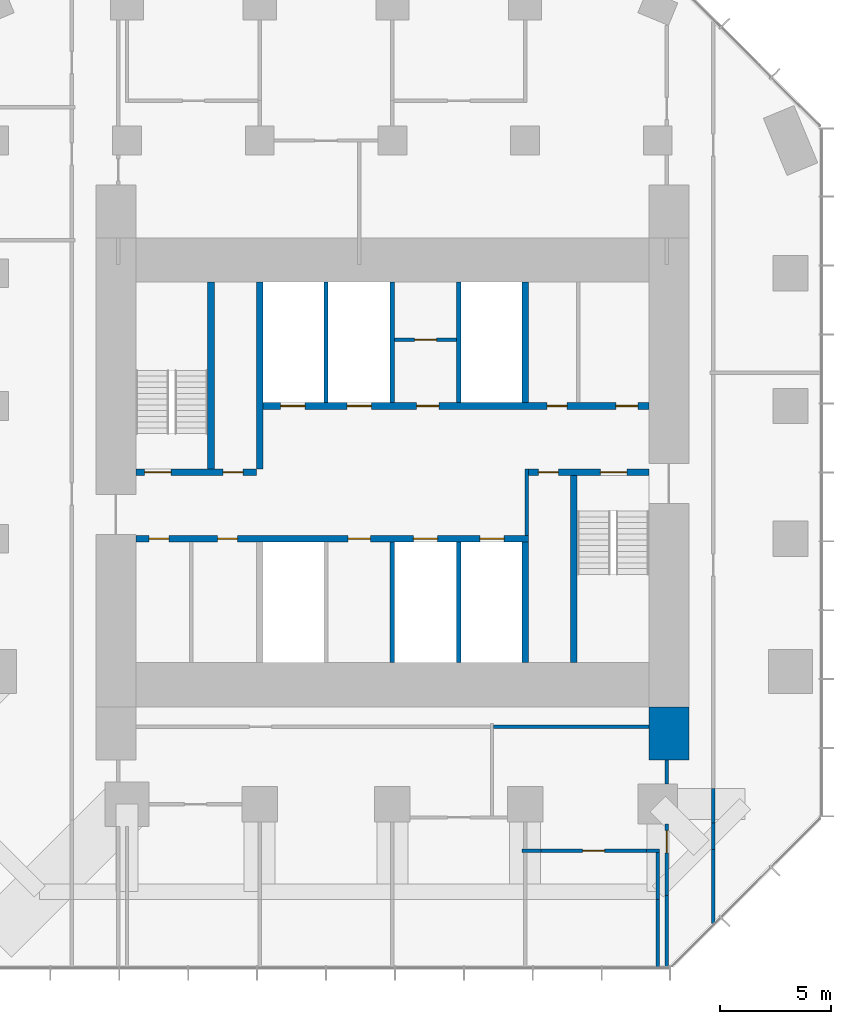
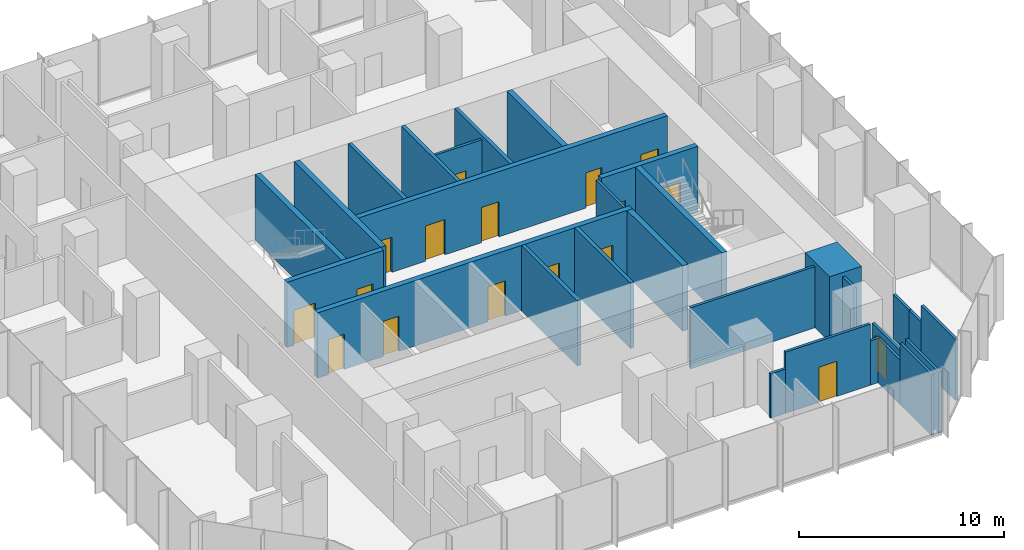
# One storey, part 9 of 12: 29 walls, 17 doors, 17 openings.
"""IFC4 building model written with IfcOpenShell, lengths in metres."""

import ifcopenshell
import ifcopenshell.guid

model = None  # the IFC model being written
_history = None  # IfcOwnerHistory: only IFC2X3 demands one
_inside = {}  # id of a spatial element -> (the spatial element, [elements in it])
_under = {}  # id of a project, library or spatial element -> (it, [spatial elements below it])
_declared = {}  # id of a project -> (the project, [libraries it declares])
_typed = {}  # id of a type object -> (the type object, [elements of that type])
_made_of = {}  # id of a material, layer set ... -> (it, [elements and type objects made of it])


def new_model(schema):
    """Start an empty IFC model of exactly this schema.

    Asked for "IFC4X3", IfcOpenShell would pick the latest addendum, in which some entities
    have other attributes; the version numbers below select the first issue.
    IFC2X3 requires an IfcOwnerHistory on every rooted entity: one is made here for all.
    """
    global model, _history
    if schema == "IFC4X3":
        model = ifcopenshell.file(schema_version=(4, 3, 0, 0))
    else:
        model = ifcopenshell.file(schema=schema)
    _inside.clear()
    _under.clear()
    _declared.clear()
    _typed.clear()
    _made_of.clear()
    _history = None
    if model.schema == "IFC2X3":
        org = make("IfcOrganization", Name="unknown")
        user = make(
            "IfcPersonAndOrganization",
            ThePerson=make("IfcPerson", FamilyName="unknown"),
            TheOrganization=org,
        )
        app = make(
            "IfcApplication",
            ApplicationDeveloper=org,
            Version="unknown",
            ApplicationFullName="unknown",
            ApplicationIdentifier="unknown",
        )
        _history = make(
            "IfcOwnerHistory",
            OwningUser=user,
            OwningApplication=app,
            ChangeAction="ADDED",
            CreationDate=0,
        )
    return model


def make(cls, **values):
    """One entity of the class cls with the attributes given. An attribute that is None is left unset."""
    return model.create_entity(
        cls, **{name: value for name, value in values.items() if value is not None}
    )


def rooted(cls, **values):
    """An entity with a GlobalId (a new one), such as an element, a storey or a relation."""
    return make(cls, GlobalId=ifcopenshell.guid.new(), OwnerHistory=_history, **values)


def si_unit(unit_type, name, prefix=None):
    """IfcSIUnit, for example si_unit("LENGTHUNIT", "METRE", prefix="MILLI")."""
    return make("IfcSIUnit", UnitType=unit_type, Prefix=prefix, Name=name)


def assignment(units):
    """IfcUnitAssignment: the units of a project."""
    return None if units is None else make("IfcUnitAssignment", Units=units)


def point(xyz):
    """IfcCartesianPoint."""
    return None if xyz is None else make("IfcCartesianPoint", Coordinates=xyz)


def direction(xyz):
    """IfcDirection."""
    return None if xyz is None else make("IfcDirection", DirectionRatios=xyz)


def frame(location, z_axis=None, x_axis=None):
    """IfcAxis2Placement3D, a coordinate frame: its origin and axes. An axis left out is left unset."""
    return make(
        "IfcAxis2Placement3D",
        Location=point(location),
        Axis=direction(z_axis),
        RefDirection=direction(x_axis),
    )


def frame_2d(location, x_axis=None):
    """IfcAxis2Placement2D, a coordinate frame in the plane: its origin and x axis."""
    return make(
        "IfcAxis2Placement2D", Location=point(location), RefDirection=direction(x_axis)
    )


def origin():
    """The frame at (0, 0, 0) with its axes left unset."""
    return frame((0.0, 0.0, 0.0))


def place(relative_to, where):
    """IfcLocalPlacement: puts the frame where relative to a parent placement (None: the world)."""
    return make(
        "IfcLocalPlacement", PlacementRelTo=relative_to, RelativePlacement=where
    )


def context(
    kind, dimensions, precision=None, world=None, true_north=None, identifier=None
):
    """IfcGeometricRepresentationContext, for example the 3D "Model" context."""
    return make(
        "IfcGeometricRepresentationContext",
        ContextIdentifier=identifier,
        ContextType=kind,
        CoordinateSpaceDimension=dimensions,
        Precision=precision,
        WorldCoordinateSystem=world,
        TrueNorth=true_north,
    )


def subcontext(parent, identifier, kind, view, scale=None):
    """IfcGeometricRepresentationSubContext, for example "Body" below "Model"."""
    return make(
        "IfcGeometricRepresentationSubContext",
        ContextIdentifier=identifier,
        ContextType=kind,
        ParentContext=parent,
        TargetScale=scale,
        TargetView=view,
    )


def project(units=None, contexts=None):
    """IfcProject with its units and contexts."""
    return rooted(
        "IfcProject",
        Name="project",
        RepresentationContexts=contexts,
        UnitsInContext=assignment(units),
    )


def spatial(cls, under=None, at=None, **own):
    """A site, building, storey or space (cls), placed at a placement, below another one or the project."""
    s = rooted(cls, ObjectPlacement=at, **own)
    if under is not None:
        _under.setdefault(under.id(), (under, []))[1].append(s)
    return s


def profile(cls, at=None, kind="AREA", **sizes):
    """A parametric profile (cls). Its sizes go by their IFC names, for example OverallWidth=200.0."""
    return make(cls, ProfileType=kind, Position=at, **sizes)


def rectangle(**sizes):
    """IfcRectangleProfileDef."""
    return profile("IfcRectangleProfileDef", **sizes)


def extrude(swept, where, along, depth):
    """IfcExtrudedAreaSolid: the profile swept, set in the frame where, extruded along a direction by depth."""
    return make(
        "IfcExtrudedAreaSolid",
        SweptArea=swept,
        Position=where,
        ExtrudedDirection=direction(along),
        Depth=depth,
    )


def shape(context_of_items, identifier, shape_type, items):
    """IfcShapeRepresentation: the items that make up one representation, for example the "Body"."""
    return make(
        "IfcShapeRepresentation",
        ContextOfItems=context_of_items,
        RepresentationIdentifier=identifier,
        RepresentationType=shape_type,
        Items=items,
    )


def material(Name=None, Category=None):
    """IfcMaterial."""
    return make("IfcMaterial", Name=Name, Category=Category)


def layer(
    of_material, thickness, ventilated=None, Name=None, Category=None, Priority=None
):
    """IfcMaterialLayer: one layer of a wall or slab, of a material (None: an air gap)."""
    return make(
        "IfcMaterialLayer",
        Material=of_material,
        LayerThickness=thickness,
        IsVentilated=ventilated,
        Name=Name,
        Category=Category,
        Priority=Priority,
    )


def layer_set(layers, Name=None):
    """IfcMaterialLayerSet."""
    return make("IfcMaterialLayerSet", MaterialLayers=layers, LayerSetName=Name)


def made_of(thing, what):
    """Note that an element or type object is made of a material, layer set ...; save() writes the relation."""
    if what is not None:
        _made_of.setdefault(what.id(), (what, []))[1].append(thing)
    return thing


def type_object(cls, material=None, **own):
    """A type object (cls), such as IfcWallType, which elements share."""
    return made_of(rooted(cls, **own), material)


def element(
    cls,
    number,
    at=None,
    inside=None,
    cuts=None,
    type_object=None,
    material=None,
    context=None,
    identifier="Body",
    shape_type=None,
    held_by="IfcProductDefinitionShape",
    body=None,
    shapes=None,
    **own,
):
    """One element of the class cls, such as IfcWall. Its Tag is "e" and its number.

    at: its placement. inside: the storey or other place that contains it. cuts: it is an
    opening in that element (IfcRelVoidsElement). A single representation is given by context,
    identifier, shape_type and body (its items); several are given by shapes. held_by: the class
    of the entity that holds the representations. save() writes the other relations.
    """
    e = rooted(cls, Tag="e%d" % number, ObjectPlacement=at, **own)
    if body is not None:
        shapes = [shape(context, identifier, shape_type, body)]
    if shapes is not None:
        e.Representation = make(held_by, Representations=shapes)
    if inside is not None:
        _inside.setdefault(inside.id(), (inside, []))[1].append(e)
    if cuts is not None:
        rooted(
            "IfcRelVoidsElement", RelatingBuildingElement=cuts, RelatedOpeningElement=e
        )
    if type_object is not None:
        _typed.setdefault(type_object.id(), (type_object, []))[1].append(e)
    return made_of(e, material)


def fill(opening, filler):
    """IfcRelFillsElement: the door or window that sits in an opening."""
    return rooted(
        "IfcRelFillsElement",
        RelatingOpeningElement=opening,
        RelatedBuildingElement=filler,
    )


def aggregate(whole, parts):
    """IfcRelAggregates: a whole, such as a stair, and the parts it consists of."""
    return rooted("IfcRelAggregates", RelatingObject=whole, RelatedObjects=parts)


def save(model, path):
    """Write the relations noted so far, then the file.

    IfcRelAggregates (storeys below a building ...), IfcRelContainedInSpatialStructure (elements
    in a storey), IfcRelDefinesByType, IfcRelAssociatesMaterial and IfcRelDeclares: one each for
    every whole, place, type object, material and project.
    """
    for whole, parts in _under.values():
        aggregate(whole, parts)
    for where, things in _inside.values():
        rooted(
            "IfcRelContainedInSpatialStructure",
            RelatedElements=things,
            RelatingStructure=where,
        )
    for kind, things in _typed.values():
        rooted("IfcRelDefinesByType", RelatedObjects=things, RelatingType=kind)
    for what, things in _made_of.values():
        rooted("IfcRelAssociatesMaterial", RelatedObjects=things, RelatingMaterial=what)
    for by, libraries in _declared.values():
        rooted("IfcRelDeclares", RelatingContext=by, RelatedDefinitions=libraries)
    model.write(path)


model = new_model("IFC4")

# Units and contexts
model_context = context("Model", 3, precision=1e-05, world=origin(), true_north=direction((0.0, 1.0)))
body_context = subcontext(model_context, "Body", "Model", "MODEL_VIEW")
ifc_project = project(units=[si_unit("LENGTHUNIT", "METRE"), si_unit("AREAUNIT", "SQUARE_METRE"), si_unit("VOLUMEUNIT", "CUBIC_METRE"), si_unit("PLANEANGLEUNIT", "RADIAN"), si_unit("MASSUNIT", "GRAM", prefix="KILO")], contexts=[model_context])

# Site, building, storey
site_placement = place(None, origin())
site = spatial("IfcSite", under=ifc_project, at=site_placement, CompositionType="ELEMENT")
building_placement = place(site_placement, origin())
building = spatial("IfcBuilding", under=site, at=building_placement, Name="Highveld Stack Headquarters", CompositionType="ELEMENT")
storey_placement = place(building_placement, frame((0.0, 0.0, 231.800048828125)))
storey = spatial("IfcBuildingStorey", under=building, at=storey_placement, Name="L57", CompositionType="ELEMENT", Elevation=231.800048828125)

# Wall, openings, doors
ifc_material_1 = material(Name="Concrete C60/75", Category="concrete")
ifc_layer_1 = layer(ifc_material_1, 0.300048828125)
ifc_layer_set_1 = layer_set([ifc_layer_1], Name="Concrete C60/75")
wall_type_1 = type_object("IfcWallType", Name="CORE WALL 300 C60/75", PredefinedType="SHEAR", material=ifc_layer_set_1)
wall_1_placement = place(storey_placement, frame((-5.60009765625, 0.0, 0.0), z_axis=(0.0, 0.0, 1.0), x_axis=(1.0, 0.0, 0.0)))
wall_1 = element("IfcWall", 1, at=wall_1_placement, inside=storey, type_object=wall_type_1, Name="Core wall I-Y0 L57", PredefinedType="SHEAR", context=body_context, shape_type="SweptSolid", body=[
    extrude(rectangle(XDim=17.75, YDim=0.300048828125, at=frame_2d((8.875, 0.0))), origin(), (0.0, 0.0, 1.0), 3.89990234375),
])
opening_1_placement = place(wall_1_placement, frame((0.60009765625, 0.0, 0.0)))
opening_1 = element("IfcOpeningElement", 2, at=opening_1_placement, cuts=wall_1, Name="Opening L57-07", PredefinedType="OPENING", context=body_context, shape_type="SweptSolid", body=[
    extrude(rectangle(XDim=0.89990234375, YDim=2.10009765625, at=frame_2d((0.449951171875, 1.050048828125))), frame((0.0, 0.159912109375, 0.0), z_axis=(0.0, -1.0, 0.0), x_axis=(1.0, 0.0, 0.0)), (0.0, 0.0, 1.0), 0.320068359375),
])
opening_2_placement = place(wall_1_placement, frame((3.699951171875, 0.0, 0.0)))
opening_2 = element("IfcOpeningElement", 3, at=opening_2_placement, cuts=wall_1, Name="Opening L57-08", PredefinedType="OPENING", context=body_context, shape_type="SweptSolid", body=[
    extrude(rectangle(XDim=0.89990234375, YDim=2.10009765625, at=frame_2d((0.449951171875, 1.050048828125))), frame((0.0, 0.159912109375, 0.0), z_axis=(0.0, -1.0, 0.0), x_axis=(1.0, 0.0, 0.0)), (0.0, 0.0, 1.0), 0.320068359375),
])
opening_3_placement = place(wall_1_placement, frame((9.60009765625, 0.0, 0.0)))
opening_3 = element("IfcOpeningElement", 4, at=opening_3_placement, cuts=wall_1, Name="Opening L57-13", PredefinedType="OPENING", context=body_context, shape_type="SweptSolid", body=[
    extrude(rectangle(XDim=1.0, YDim=2.10009765625, at=frame_2d((0.5, 1.050048828125))), frame((0.0, 0.159912109375, 0.0), z_axis=(0.0, -1.0, 0.0), x_axis=(1.0, 0.0, 0.0)), (0.0, 0.0, 1.0), 0.320068359375),
])
opening_4_placement = place(wall_1_placement, frame((12.550048828125, 0.0, 0.0)))
opening_4 = element("IfcOpeningElement", 5, at=opening_4_placement, cuts=wall_1, Name="Opening LD", PredefinedType="OPENING", context=body_context, shape_type="SweptSolid", body=[
    extrude(rectangle(XDim=1.10009765625, YDim=2.10009765625, at=frame_2d((0.550048828125, 1.050048828125))), frame((0.0, 0.159912109375, 0.0), z_axis=(0.0, -1.0, 0.0), x_axis=(1.0, 0.0, 0.0)), (0.0, 0.0, 1.0), 0.320068359375),
])
opening_5_placement = place(wall_1_placement, frame((15.550048828125, 0.0, 0.0)))
opening_5 = element("IfcOpeningElement", 6, at=opening_5_placement, cuts=wall_1, Name="Opening LD", PredefinedType="OPENING", context=body_context, shape_type="SweptSolid", body=[
    extrude(rectangle(XDim=1.10009765625, YDim=2.10009765625, at=frame_2d((0.550048828125, 1.050048828125))), frame((0.0, 0.159912109375, 0.0), z_axis=(0.0, -1.0, 0.0), x_axis=(1.0, 0.0, 0.0)), (0.0, 0.0, 1.0), 0.320068359375),
])
ifc_material_2 = material(Name="Steel fire door", Category="steel")
door_type_1 = type_object("IfcDoorType", Name="CORE ROOM FIRE DOOR D14 1000x2100", OperationType="SINGLE_SWING_LEFT", PredefinedType="DOOR", material=ifc_material_2)
door_1_placement = place(opening_3_placement, origin())
door_1 = element("IfcDoor", 7, at=door_1_placement, inside=storey, type_object=door_type_1, Name="Capped B 1 door L57", OperationType="SINGLE_SWING_RIGHT", OverallHeight=2.10009765625, OverallWidth=1.0, PredefinedType="DOOR", context=body_context, shape_type="SweptSolid", body=[
    extrude(rectangle(XDim=1.0, YDim=2.10009765625, at=frame_2d((0.5, 1.050048828125))), frame((0.0, 0.02490234375, 0.0), z_axis=(0.0, -1.0, 0.0), x_axis=(1.0, 0.0, 0.0)), (0.0, 0.0, 1.0), 0.050048828125),
])
fill(opening_3, door_1)
ifc_material_3 = material(Name="Stainless steel lift landing door", Category="steel")
door_type_2 = type_object("IfcDoorType", Name="LIFT LANDING DOOR LD 1100x2100", OperationType="DOUBLE_DOOR_SLIDING", PredefinedType="USERDEFINED", material=ifc_material_3)
door_2_placement = place(opening_4_placement, origin())
door_2 = element("IfcDoor", 8, at=door_2_placement, inside=storey, type_object=door_type_2, Name="Lift landing door C1 L57", ObjectType="LIFT LANDING DOOR", OperationType="DOUBLE_DOOR_SLIDING", OverallHeight=2.10009765625, OverallWidth=1.10009765625, PredefinedType="USERDEFINED", context=body_context, shape_type="SweptSolid", body=[
    extrude(rectangle(XDim=1.10009765625, YDim=2.10009765625, at=frame_2d((0.550048828125, 1.050048828125))), frame((0.0, 0.02490234375, 0.0), z_axis=(0.0, -1.0, 0.0), x_axis=(1.0, 0.0, 0.0)), (0.0, 0.0, 1.0), 0.050048828125),
])
fill(opening_4, door_2)
door_3_placement = place(opening_5_placement, origin())
door_3 = element("IfcDoor", 9, at=door_3_placement, inside=storey, type_object=door_type_2, Name="Lift landing door C2 L57", ObjectType="LIFT LANDING DOOR", OperationType="DOUBLE_DOOR_SLIDING", OverallHeight=2.10009765625, OverallWidth=1.10009765625, PredefinedType="USERDEFINED", context=body_context, shape_type="SweptSolid", body=[
    extrude(rectangle(XDim=1.10009765625, YDim=2.10009765625, at=frame_2d((0.550048828125, 1.050048828125))), frame((0.0, 0.02490234375, 0.0), z_axis=(0.0, -1.0, 0.0), x_axis=(1.0, 0.0, 0.0)), (0.0, 0.0, 1.0), 0.050048828125),
])
fill(opening_5, door_3)
ifc_material_4 = material(Name="Timber door, painted", Category="wood")
door_type_3 = type_object("IfcDoorType", Name="WC DOOR D1 900x2100", OperationType="SINGLE_SWING_LEFT", PredefinedType="DOOR", material=ifc_material_4)
door_4_placement = place(opening_1_placement, origin())
door_4 = element("IfcDoor", 10, at=door_4_placement, inside=storey, type_object=door_type_3, Name="Female WC door L57", OperationType="SINGLE_SWING_LEFT", OverallHeight=2.10009765625, OverallWidth=0.89990234375, PredefinedType="DOOR", context=body_context, shape_type="SweptSolid", body=[
    extrude(rectangle(XDim=0.89990234375, YDim=2.10009765625, at=frame_2d((0.449951171875, 1.050048828125))), frame((0.0, 0.02490234375, 0.0), z_axis=(0.0, -1.0, 0.0), x_axis=(1.0, 0.0, 0.0)), (0.0, 0.0, 1.0), 0.050048828125),
])
fill(opening_1, door_4)
door_5_placement = place(opening_2_placement, origin())
door_5 = element("IfcDoor", 11, at=door_5_placement, inside=storey, type_object=door_type_3, Name="Shower and changing room door L57", OperationType="SINGLE_SWING_LEFT", OverallHeight=2.10009765625, OverallWidth=0.89990234375, PredefinedType="DOOR", context=body_context, shape_type="SweptSolid", body=[
    extrude(rectangle(XDim=0.89990234375, YDim=2.10009765625, at=frame_2d((0.449951171875, 1.050048828125))), frame((0.0, 0.02490234375, 0.0), z_axis=(0.0, -1.0, 0.0), x_axis=(1.0, 0.0, 0.0)), (0.0, 0.0, 1.0), 0.050048828125),
])
fill(opening_2, door_5)

wall_2_placement = place(storey_placement, frame((-5.60009765625, 3.0, 0.0), z_axis=(0.0, 0.0, 1.0), x_axis=(1.0, 0.0, 0.0)))
wall_2 = element("IfcWall", 12, at=wall_2_placement, inside=storey, type_object=wall_type_1, Name="Core wall I-Y3W L57", PredefinedType="SHEAR", context=body_context, shape_type="SweptSolid", body=[
    extrude(rectangle(XDim=5.4501953125, YDim=0.300048828125, at=frame_2d((2.72509765625, 0.0))), origin(), (0.0, 0.0, 1.0), 3.89990234375),
])
opening_6_placement = place(wall_2_placement, frame((0.39990234375, 0.0, 0.0)))
opening_6 = element("IfcOpeningElement", 13, at=opening_6_placement, cuts=wall_2, Name="Opening L57-03", PredefinedType="OPENING", context=body_context, shape_type="SweptSolid", body=[
    extrude(rectangle(XDim=1.199951171875, YDim=2.10009765625, at=frame_2d((0.60009765625, 1.050048828125))), frame((0.0, 0.159912109375, 0.0), z_axis=(0.0, -1.0, 0.0), x_axis=(1.0, 0.0, 0.0)), (0.0, 0.0, 1.0), 0.320068359375),
])
opening_7_placement = place(wall_2_placement, frame((3.949951171875, 0.0, 0.0)))
opening_7 = element("IfcOpeningElement", 14, at=opening_7_placement, cuts=wall_2, Name="Opening L57-04", PredefinedType="OPENING", context=body_context, shape_type="SweptSolid", body=[
    extrude(rectangle(XDim=0.89990234375, YDim=2.10009765625, at=frame_2d((0.449951171875, 1.050048828125))), frame((0.0, 0.159912109375, 0.0), z_axis=(0.0, -1.0, 0.0), x_axis=(1.0, 0.0, 0.0)), (0.0, 0.0, 1.0), 0.320068359375),
])
ifc_material_5 = material(Name="Steel fire door", Category="steel")
door_type_4 = type_object("IfcDoorType", Name="RISER ACCESS DOOR D5 900x2100", OperationType="SINGLE_SWING_LEFT", PredefinedType="DOOR", material=ifc_material_5)
door_6_placement = place(opening_7_placement, origin())
door_6 = element("IfcDoor", 15, at=door_6_placement, inside=storey, type_object=door_type_4, Name="Riser R1 door L57", OperationType="SINGLE_SWING_RIGHT", OverallHeight=2.10009765625, OverallWidth=0.89990234375, PredefinedType="DOOR", context=body_context, shape_type="SweptSolid", body=[
    extrude(rectangle(XDim=0.89990234375, YDim=2.10009765625, at=frame_2d((0.449951171875, 1.050048828125))), frame((0.0, 0.02490234375, 0.0), z_axis=(0.0, -1.0, 0.0), x_axis=(1.0, 0.0, 0.0)), (0.0, 0.0, 1.0), 0.050048828125),
])
fill(opening_7, door_6)
ifc_material_6 = material(Name="Steel fire door", Category="steel")
door_type_5 = type_object("IfcDoorType", Name="STAIR FIRE DOOR D3 1200x2100", OperationType="SINGLE_SWING_LEFT", PredefinedType="DOOR", material=ifc_material_6)
door_7_placement = place(opening_6_placement, origin())
door_7 = element("IfcDoor", 16, at=door_7_placement, inside=storey, type_object=door_type_5, Name="Stair S1 door L57", OperationType="SINGLE_SWING_LEFT", OverallHeight=2.10009765625, OverallWidth=1.199951171875, PredefinedType="DOOR", context=body_context, shape_type="SweptSolid", body=[
    extrude(rectangle(XDim=1.199951171875, YDim=2.10009765625, at=frame_2d((0.60009765625, 1.050048828125))), frame((0.0, 0.02490234375, 0.0), z_axis=(0.0, -1.0, 0.0), x_axis=(1.0, 0.0, 0.0)), (0.0, 0.0, 1.0), 0.050048828125),
])
fill(opening_6, door_7)

wall_3_placement = place(storey_placement, frame((12.14990234375, 3.0, 0.0), z_axis=(0.0, 0.0, 1.0), x_axis=(1.0, 0.0, 0.0)))
wall_3 = element("IfcWall", 17, at=wall_3_placement, inside=storey, type_object=wall_type_1, Name="Core wall I-Y3E L57", PredefinedType="SHEAR", context=body_context, shape_type="SweptSolid", body=[
    extrude(rectangle(XDim=5.4501953125, YDim=0.300048828125, at=frame_2d((2.72509765625, 0.0))), origin(), (0.0, 0.0, 1.0), 3.89990234375),
])
opening_8_placement = place(wall_3_placement, frame((3.25, 0.0, 0.0)))
opening_8 = element("IfcOpeningElement", 18, at=opening_8_placement, cuts=wall_3, Name="Opening L57-05", PredefinedType="OPENING", context=body_context, shape_type="SweptSolid", body=[
    extrude(rectangle(XDim=1.199951171875, YDim=2.10009765625, at=frame_2d((0.60009765625, 1.050048828125))), frame((0.0, 0.159912109375, 0.0), z_axis=(0.0, -1.0, 0.0), x_axis=(1.0, 0.0, 0.0)), (0.0, 0.0, 1.0), 0.320068359375),
])
opening_9_placement = place(wall_3_placement, frame((0.449951171875, 0.0, 0.0)))
opening_9 = element("IfcOpeningElement", 19, at=opening_9_placement, cuts=wall_3, Name="Opening L57-06", PredefinedType="OPENING", context=body_context, shape_type="SweptSolid", body=[
    extrude(rectangle(XDim=0.89990234375, YDim=2.10009765625, at=frame_2d((0.449951171875, 1.050048828125))), frame((0.0, 0.159912109375, 0.0), z_axis=(0.0, -1.0, 0.0), x_axis=(1.0, 0.0, 0.0)), (0.0, 0.0, 1.0), 0.320068359375),
])
door_8_placement = place(opening_9_placement, origin())
door_8 = element("IfcDoor", 20, at=door_8_placement, inside=storey, type_object=door_type_4, Name="Riser R2 door L57", OperationType="SINGLE_SWING_LEFT", OverallHeight=2.10009765625, OverallWidth=0.89990234375, PredefinedType="DOOR", context=body_context, shape_type="SweptSolid", body=[
    extrude(rectangle(XDim=0.89990234375, YDim=2.10009765625, at=frame_2d((0.449951171875, 1.050048828125))), frame((0.0, 0.02490234375, 0.0), z_axis=(0.0, -1.0, 0.0), x_axis=(1.0, 0.0, 0.0)), (0.0, 0.0, 1.0), 0.050048828125),
])
fill(opening_9, door_8)
door_9_placement = place(opening_8_placement, origin())
door_9 = element("IfcDoor", 21, at=door_9_placement, inside=storey, type_object=door_type_5, Name="Stair S2 door L57", OperationType="SINGLE_SWING_RIGHT", OverallHeight=2.10009765625, OverallWidth=1.199951171875, PredefinedType="DOOR", context=body_context, shape_type="SweptSolid", body=[
    extrude(rectangle(XDim=1.199951171875, YDim=2.10009765625, at=frame_2d((0.60009765625, 1.050048828125))), frame((0.0, 0.02490234375, 0.0), z_axis=(0.0, -1.0, 0.0), x_axis=(1.0, 0.0, 0.0)), (0.0, 0.0, 1.0), 0.050048828125),
])
fill(opening_8, door_9)

wall_4_placement = place(storey_placement, frame((-0.14990234375, 6.0, 0.0), z_axis=(0.0, 0.0, 1.0), x_axis=(1.0, 0.0, 0.0)))
wall_4 = element("IfcWall", 22, at=wall_4_placement, inside=storey, type_object=wall_type_1, Name="Core wall I-Y6 L57", PredefinedType="SHEAR", context=body_context, shape_type="SweptSolid", body=[
    extrude(rectangle(XDim=17.75, YDim=0.300048828125, at=frame_2d((8.875, 0.0))), origin(), (0.0, 0.0, 1.0), 3.89990234375),
])
opening_10_placement = place(wall_4_placement, frame((13.14990234375, 0.0, 0.0)))
opening_10 = element("IfcOpeningElement", 23, at=opening_10_placement, cuts=wall_4, Name="Opening L57-09", PredefinedType="OPENING", context=body_context, shape_type="SweptSolid", body=[
    extrude(rectangle(XDim=0.89990234375, YDim=2.10009765625, at=frame_2d((0.449951171875, 1.050048828125))), frame((0.0, 0.159912109375, 0.0), z_axis=(0.0, -1.0, 0.0), x_axis=(1.0, 0.0, 0.0)), (0.0, 0.0, 1.0), 0.320068359375),
])
opening_11_placement = place(wall_4_placement, frame((16.25, 0.0, 0.0)))
opening_11 = element("IfcOpeningElement", 24, at=opening_11_placement, cuts=wall_4, Name="Opening L57-10", PredefinedType="OPENING", context=body_context, shape_type="SweptSolid", body=[
    extrude(rectangle(XDim=1.0, YDim=2.10009765625, at=frame_2d((0.5, 1.050048828125))), frame((0.0, 0.159912109375, 0.0), z_axis=(0.0, -1.0, 0.0), x_axis=(1.0, 0.0, 0.0)), (0.0, 0.0, 1.0), 0.320068359375),
])
opening_12_placement = place(wall_4_placement, frame((7.25, 0.0, 0.0)))
opening_12 = element("IfcOpeningElement", 25, at=opening_12_placement, cuts=wall_4, Name="Opening L57-12", PredefinedType="OPENING", context=body_context, shape_type="SweptSolid", body=[
    extrude(rectangle(XDim=1.0, YDim=2.10009765625, at=frame_2d((0.5, 1.050048828125))), frame((0.0, 0.159912109375, 0.0), z_axis=(0.0, -1.0, 0.0), x_axis=(1.0, 0.0, 0.0)), (0.0, 0.0, 1.0), 0.320068359375),
])
opening_13_placement = place(wall_4_placement, frame((1.10009765625, 0.0, 0.0)))
opening_13 = element("IfcOpeningElement", 26, at=opening_13_placement, cuts=wall_4, Name="Opening LD", PredefinedType="OPENING", context=body_context, shape_type="SweptSolid", body=[
    extrude(rectangle(XDim=1.10009765625, YDim=2.10009765625, at=frame_2d((0.550048828125, 1.050048828125))), frame((0.0, 0.159912109375, 0.0), z_axis=(0.0, -1.0, 0.0), x_axis=(1.0, 0.0, 0.0)), (0.0, 0.0, 1.0), 0.320068359375),
])
opening_14_placement = place(wall_4_placement, frame((4.10009765625, 0.0, 0.0)))
opening_14 = element("IfcOpeningElement", 27, at=opening_14_placement, cuts=wall_4, Name="Opening LD", PredefinedType="OPENING", context=body_context, shape_type="SweptSolid", body=[
    extrude(rectangle(XDim=1.10009765625, YDim=2.10009765625, at=frame_2d((0.550048828125, 1.050048828125))), frame((0.0, 0.159912109375, 0.0), z_axis=(0.0, -1.0, 0.0), x_axis=(1.0, 0.0, 0.0)), (0.0, 0.0, 1.0), 0.320068359375),
])
ifc_material_7 = material(Name="Timber door, painted", Category="wood")
door_type_6 = type_object("IfcDoorType", Name="ACCESSIBLE WC DOOR D2 1000x2100", OperationType="SINGLE_SWING_RIGHT", PredefinedType="DOOR", material=ifc_material_7)
door_10_placement = place(opening_11_placement, origin())
door_10 = element("IfcDoor", 28, at=door_10_placement, inside=storey, type_object=door_type_6, Name="Accessible WC door L57", OperationType="SINGLE_SWING_RIGHT", OverallHeight=2.10009765625, OverallWidth=1.0, PredefinedType="DOOR", context=body_context, shape_type="SweptSolid", body=[
    extrude(rectangle(XDim=1.0, YDim=2.10009765625, at=frame_2d((0.5, 1.050048828125))), frame((0.0, 0.02490234375, 0.0), z_axis=(0.0, -1.0, 0.0), x_axis=(1.0, 0.0, 0.0)), (0.0, 0.0, 1.0), 0.050048828125),
])
fill(opening_11, door_10)
door_11_placement = place(opening_12_placement, origin())
door_11 = element("IfcDoor", 29, at=door_11_placement, inside=storey, type_object=door_type_1, Name="Capped A 1 door L57", OperationType="SINGLE_SWING_LEFT", OverallHeight=2.10009765625, OverallWidth=1.0, PredefinedType="DOOR", context=body_context, shape_type="SweptSolid", body=[
    extrude(rectangle(XDim=1.0, YDim=2.10009765625, at=frame_2d((0.5, 1.050048828125))), frame((0.0, 0.02490234375, 0.0), z_axis=(0.0, -1.0, 0.0), x_axis=(1.0, 0.0, 0.0)), (0.0, 0.0, 1.0), 0.050048828125),
])
fill(opening_12, door_11)
door_12_placement = place(opening_13_placement, origin())
door_12 = element("IfcDoor", 30, at=door_12_placement, inside=storey, type_object=door_type_2, Name="Lift landing door FF1 L57", ObjectType="LIFT LANDING DOOR", OperationType="DOUBLE_DOOR_SLIDING", OverallHeight=2.10009765625, OverallWidth=1.10009765625, PredefinedType="USERDEFINED", context=body_context, shape_type="SweptSolid", body=[
    extrude(rectangle(XDim=1.10009765625, YDim=2.10009765625, at=frame_2d((0.550048828125, 1.050048828125))), frame((0.0, 0.02490234375, 0.0), z_axis=(0.0, -1.0, 0.0), x_axis=(1.0, 0.0, 0.0)), (0.0, 0.0, 1.0), 0.050048828125),
])
fill(opening_13, door_12)
door_13_placement = place(opening_14_placement, origin())
door_13 = element("IfcDoor", 31, at=door_13_placement, inside=storey, type_object=door_type_2, Name="Lift landing door FF2 L57", ObjectType="LIFT LANDING DOOR", OperationType="DOUBLE_DOOR_SLIDING", OverallHeight=2.10009765625, OverallWidth=1.10009765625, PredefinedType="USERDEFINED", context=body_context, shape_type="SweptSolid", body=[
    extrude(rectangle(XDim=1.10009765625, YDim=2.10009765625, at=frame_2d((0.550048828125, 1.050048828125))), frame((0.0, 0.02490234375, 0.0), z_axis=(0.0, -1.0, 0.0), x_axis=(1.0, 0.0, 0.0)), (0.0, 0.0, 1.0), 0.050048828125),
])
fill(opening_14, door_13)
door_14_placement = place(opening_10_placement, origin())
door_14 = element("IfcDoor", 32, at=door_14_placement, inside=storey, type_object=door_type_3, Name="Male WC door L57", OperationType="SINGLE_SWING_RIGHT", OverallHeight=2.10009765625, OverallWidth=0.89990234375, PredefinedType="DOOR", context=body_context, shape_type="SweptSolid", body=[
    extrude(rectangle(XDim=0.89990234375, YDim=2.10009765625, at=frame_2d((0.449951171875, 1.050048828125))), frame((0.0, 0.02490234375, 0.0), z_axis=(0.0, -1.0, 0.0), x_axis=(1.0, 0.0, 0.0)), (0.0, 0.0, 1.0), 0.050048828125),
])
fill(opening_10, door_14)

# Walls
wall_5_placement = place(storey_placement, frame((0.0, 3.14990234375, 0.0), z_axis=(0.0, 0.0, 1.0), x_axis=(0.0, 1.0, 0.0)))
element("IfcWall", 33, at=wall_5_placement, inside=storey, type_object=wall_type_1, Name="Core wall I-X0N L57", PredefinedType="SHEAR", context=body_context, shape_type="SweptSolid", body=[
    extrude(rectangle(XDim=8.4501953125, YDim=0.300048828125, at=frame_2d((4.22509765625, 0.0))), origin(), (0.0, 0.0, 1.0), 3.89990234375),
])
for number, where, z_axis, x_axis, name in (
    (34, (12.0, -5.60009765625, 0.0), (0.0, 0.0, 1.0), (0.0, 1.0, 0.0), "Core wall I-X12S L57"),
    (35, (12.0, 6.14990234375, 0.0), (0.0, 0.0, 1.0), (0.0, 1.0, 0.0), "Core wall I-X12N L57"),
):
    element("IfcWall", number, at=place(storey_placement, frame(where, z_axis=z_axis, x_axis=x_axis)), inside=storey, type_object=wall_type_1, Name=name, PredefinedType="SHEAR", context=body_context, shape_type="SweptSolid", body=[
        extrude(rectangle(XDim=5.4501953125, YDim=0.300048828125, at=frame_2d((2.72509765625, 0.0))), origin(), (0.0, 0.0, 1.0), 3.89990234375),
    ])
for number, where, z_axis, x_axis, name in (
    (36, (-2.199951171875, 3.14990234375, 0.0), (0.0, 0.0, 1.0), (0.0, 1.0, 0.0), "Core wall I-RW L57"),
    (37, (14.199951171875, -5.60009765625, 0.0), (0.0, 0.0, 1.0), (0.0, 1.0, 0.0), "Core wall I-RE L57"),
):
    element("IfcWall", number, at=place(storey_placement, frame(where, z_axis=z_axis, x_axis=x_axis)), inside=storey, type_object=wall_type_1, Name=name, PredefinedType="SHEAR", context=body_context, shape_type="SweptSolid", body=[
        extrude(rectangle(XDim=8.4501953125, YDim=0.300048828125, at=frame_2d((4.22509765625, 0.0))), origin(), (0.0, 0.0, 1.0), 3.89990234375),
    ])
ifc_material_8 = material(Name="Concrete C60/75", Category="concrete")
ifc_layer_2 = layer(ifc_material_8, 1.800048828125)
ifc_layer_set_2 = layer_set([ifc_layer_2], Name="Concrete C60/75")
wall_type_2 = type_object("IfcWallType", Name="CORE WING WALL 1800 C60/75", PredefinedType="SHEAR", material=ifc_layer_set_2)
wall_6_placement = place(storey_placement, frame((18.5, -10.0, 0.0), z_axis=(0.0, 0.0, 1.0), x_axis=(0.0, 1.0, 0.0)))
element("IfcWall", 38, at=wall_6_placement, inside=storey, type_object=wall_type_2, Name="Core wing wall ES L57", PredefinedType="SHEAR", context=body_context, shape_type="SweptSolid", body=[
    extrude(rectangle(XDim=2.39990234375, YDim=1.800048828125, at=frame_2d((1.199951171875, 0.0))), origin(), (0.0, 0.0, 1.0), 3.89990234375),
])

# Wall, opening, door
ifc_material_9 = material(Name="Concrete blockwork, plastered", Category="masonry")
ifc_layer_3 = layer(ifc_material_9, 0.14990234375)
ifc_layer_set_3 = layer_set([ifc_layer_3], Name="Concrete blockwork, plastered")
wall_type_3 = type_object("IfcWallType", Name="FIRE PARTITION 150 BLOCKWORK", PredefinedType="PARTITIONING", material=ifc_layer_set_3)
wall_7_placement = place(storey_placement, frame((6.10009765625, 9.0, 0.0), z_axis=(0.0, 0.0, 1.0), x_axis=(1.0, 0.0, 0.0)))
wall_7 = element("IfcWall", 39, at=wall_7_placement, inside=storey, type_object=wall_type_3, Name="Core room partition L57", PredefinedType="PARTITIONING", context=body_context, shape_type="SweptSolid", body=[
    extrude(rectangle(XDim=2.7998046875, YDim=0.14990234375, at=frame_2d((1.39990234375, 0.0))), origin(), (0.0, 0.0, 1.0), 3.64990234375),
])
opening_15_placement = place(wall_7_placement, frame((0.89990234375, 0.0, 0.0)))
opening_15 = element("IfcOpeningElement", 40, at=opening_15_placement, cuts=wall_7, Name="Opening L57-11", PredefinedType="OPENING", context=body_context, shape_type="SweptSolid", body=[
    extrude(rectangle(XDim=1.0, YDim=2.10009765625, at=frame_2d((0.5, 1.050048828125))), frame((0.0, 0.0849609375, 0.0), z_axis=(0.0, -1.0, 0.0), x_axis=(1.0, 0.0, 0.0)), (0.0, 0.0, 1.0), 0.169921875),
])
door_15_placement = place(opening_15_placement, origin())
door_15 = element("IfcDoor", 41, at=door_15_placement, inside=storey, type_object=door_type_1, Name="Capped A 2 door L57", OperationType="SINGLE_SWING_LEFT", OverallHeight=2.10009765625, OverallWidth=1.0, PredefinedType="DOOR", context=body_context, shape_type="SweptSolid", body=[
    extrude(rectangle(XDim=1.0, YDim=2.10009765625, at=frame_2d((0.5, 1.050048828125))), frame((0.0, 0.02490234375, 0.0), z_axis=(0.0, -1.0, 0.0), x_axis=(1.0, 0.0, 0.0)), (0.0, 0.0, 1.0), 0.050048828125),
])
fill(opening_15, door_15)

# Walls
wall_8_placement = place(storey_placement, frame((12.074951171875, 0.14990234375, 0.0), z_axis=(0.0, 0.0, 1.0), x_axis=(0.0, 1.0, 0.0)))
element("IfcWall", 42, at=wall_8_placement, inside=storey, type_object=wall_type_3, Name="Riser R2 enclosure L57", PredefinedType="PARTITIONING", context=body_context, shape_type="SweptSolid", body=[
    extrude(rectangle(XDim=3.0, YDim=0.14990234375, at=frame_2d((1.5, 0.0))), origin(), (0.0, 0.0, 1.0), 3.64990234375),
])
ifc_material_10 = material(Name="Concrete blockwork, fair-faced", Category="masonry")
ifc_layer_4 = layer(ifc_material_10, 0.199951171875)
ifc_layer_set_4 = layer_set([ifc_layer_4], Name="Concrete blockwork, fair-faced")
wall_type_4 = type_object("IfcWallType", Name="LIFT SHAFT ENCLOSURE WALL 200 BLOCKWORK", PredefinedType="SOLIDWALL", material=ifc_layer_set_4)
for number, where, z_axis, x_axis, name in (
    (43, (3.0, 6.14990234375, 0.0), (0.0, 0.0, 1.0), (0.0, 1.0, 0.0), "Lift shaft wall L57"),
    (44, (6.0, 6.14990234375, 0.0), (0.0, 0.0, 1.0), (0.0, 1.0, 0.0), "Lift shaft wall L57"),
    (45, (9.0, 6.14990234375, 0.0), (0.0, 0.0, 1.0), (0.0, 1.0, 0.0), "Lift shaft wall L57"),
    (46, (6.0, -5.60009765625, 0.0), (0.0, 0.0, 1.0), (0.0, 1.0, 0.0), "Lift shaft wall L57"),
    (47, (9.0, -5.60009765625, 0.0), (0.0, 0.0, 1.0), (0.0, 1.0, 0.0), "Lift shaft wall L57"),
):
    element("IfcWall", number, at=place(storey_placement, frame(where, z_axis=z_axis, x_axis=x_axis)), inside=storey, type_object=wall_type_4, Name=name, PredefinedType="SOLIDWALL", context=body_context, shape_type="SweptSolid", body=[
        extrude(rectangle(XDim=5.4501953125, YDim=0.199951171875, at=frame_2d((2.72509765625, 0.0))), origin(), (0.0, 0.0, 1.0), 3.89990234375),
    ])
ifc_material_11 = material(Name="Gypsum plasterboard on steel studs", Category="steel")
ifc_layer_5 = layer(ifc_material_11, 0.14990234375)
ifc_layer_set_5 = layer_set([ifc_layer_5], Name="Gypsum plasterboard on steel studs")
wall_type_5 = type_object("IfcWallType", Name="PARTITION 150 PLASTERBOARD", PredefinedType="PARTITIONING", material=ifc_layer_set_5)
wall_9_placement = place(storey_placement, frame((11.85009765625, -14.10009765625, 0.0), z_axis=(0.0, 0.0, 1.0), x_axis=(1.0, 0.0, 0.0)))
element("IfcWall", 48, at=wall_9_placement, inside=storey, type_object=wall_type_5, Name="Partition Focus room L57", PredefinedType="PARTITIONING", context=body_context, shape_type="SweptSolid", body=[
    extrude(rectangle(XDim=0.85986328125, YDim=0.14990234375, at=frame_2d((0.429931640625, 0.0))), origin(), (0.0, 0.0, 1.0), 2.64990234375),
])

# Wall, opening, door
wall_10_placement = place(storey_placement, frame((12.7099609375, -14.10009765625, 0.0), z_axis=(0.0, 0.0, 1.0), x_axis=(1.0, 0.0, 0.0)))
wall_10 = element("IfcWall", 49, at=wall_10_placement, inside=storey, type_object=wall_type_5, Name="Partition Focus room L57", PredefinedType="PARTITIONING", context=body_context, shape_type="SweptSolid", body=[
    extrude(rectangle(XDim=4.780029296875, YDim=0.14990234375, at=frame_2d((2.39013671875, 0.0))), origin(), (0.0, 0.0, 1.0), 3.64990234375),
])
opening_16_placement = place(wall_10_placement, frame((1.889892578125, 0.0, 0.0)))
opening_16 = element("IfcOpeningElement", 50, at=opening_16_placement, cuts=wall_10, Name="Opening L57-16", PredefinedType="OPENING", context=body_context, shape_type="SweptSolid", body=[
    extrude(rectangle(XDim=1.0, YDim=2.10009765625, at=frame_2d((0.5, 1.050048828125))), frame((0.0, 0.0849609375, 0.0), z_axis=(0.0, -1.0, 0.0), x_axis=(1.0, 0.0, 0.0)), (0.0, 0.0, 1.0), 0.169921875),
])
ifc_material_12 = material(Name="Timber door, oiled ash", Category="wood")
door_type_7 = type_object("IfcDoorType", Name="ROOM DOOR D6 1000x2100", OperationType="SINGLE_SWING_LEFT", PredefinedType="DOOR", material=ifc_material_12)
door_16_placement = place(opening_16_placement, origin())
door_16 = element("IfcDoor", 51, at=door_16_placement, inside=storey, type_object=door_type_7, Name="Focus room door 1 L57", OperationType="SINGLE_SWING_LEFT", OverallHeight=2.10009765625, OverallWidth=1.0, PredefinedType="DOOR", context=body_context, shape_type="SweptSolid", body=[
    extrude(rectangle(XDim=1.0, YDim=2.10009765625, at=frame_2d((0.5, 1.050048828125))), frame((0.0, 0.02490234375, 0.0), z_axis=(0.0, -1.0, 0.0), x_axis=(1.0, 0.0, 0.0)), (0.0, 0.0, 1.0), 0.050048828125),
])
fill(opening_16, door_16)

# Walls
wall_11_placement = place(storey_placement, frame((17.489990234375, -14.10009765625, 0.0), z_axis=(0.0, 0.0, 1.0), x_axis=(1.0, 0.0, 0.0)))
element("IfcWall", 52, at=wall_11_placement, inside=storey, type_object=wall_type_5, Name="Partition Focus room L57", PredefinedType="PARTITIONING", context=body_context, shape_type="SweptSolid", body=[
    extrude(rectangle(XDim=0.5849609375, YDim=0.14990234375, at=frame_2d((0.29248046875, 0.0))), origin(), (0.0, 0.0, 1.0), 2.64990234375),
])
wall_12_placement = place(storey_placement, frame((18.0, -19.39990234375, 0.0), z_axis=(0.0, 0.0, 1.0), x_axis=(0.0, 1.0, 0.0)))
element("IfcWall", 53, at=wall_12_placement, inside=storey, type_object=wall_type_5, Name="Partition Focus room L57", PredefinedType="PARTITIONING", context=body_context, shape_type="SweptSolid", body=[
    extrude(rectangle(XDim=3.08984375, YDim=0.14990234375, at=frame_2d((1.544921875, 0.0))), origin(), (0.0, 0.0, 1.0), 3.64990234375),
])
wall_13_placement = place(storey_placement, frame((18.0, -16.31005859375, 0.0), z_axis=(0.0, 0.0, 1.0), x_axis=(0.0, 1.0, 0.0)))
element("IfcWall", 54, at=wall_13_placement, inside=storey, type_object=wall_type_5, Name="Partition Focus room L57", PredefinedType="PARTITIONING", context=body_context, shape_type="SweptSolid", body=[
    extrude(rectangle(XDim=2.135009765625, YDim=0.14990234375, at=frame_2d((1.0673828125, 0.0))), origin(), (0.0, 0.0, 1.0), 2.64990234375),
])
wall_14_placement = place(storey_placement, frame((10.574951171875, -8.5, 0.0), z_axis=(0.0, 0.0, 1.0), x_axis=(1.0, 0.0, 0.0)))
element("IfcWall", 55, at=wall_14_placement, inside=storey, type_object=wall_type_5, Name="Partition office neighbourhood L57", PredefinedType="PARTITIONING", context=body_context, shape_type="SweptSolid", body=[
    extrude(rectangle(XDim=7.025146484375, YDim=0.14990234375, at=frame_2d((3.5126953125, 0.0))), origin(), (0.0, 0.0, 1.0), 3.64990234375),
])
wall_15_placement = place(storey_placement, frame((18.39990234375, -19.39990234375, 0.0), z_axis=(0.0, 0.0, 1.0), x_axis=(0.0, 1.0, 0.0)))
element("IfcWall", 56, at=wall_15_placement, inside=storey, type_object=wall_type_5, Name="Partition office neighbourhood L57", PredefinedType="PARTITIONING", context=body_context, shape_type="SweptSolid", body=[
    extrude(rectangle(XDim=3.260009765625, YDim=0.14990234375, at=frame_2d((1.6298828125, 0.0))), origin(), (0.0, 0.0, 1.0), 3.64990234375),
])

# Wall, opening, door
wall_16_placement = place(storey_placement, frame((18.39990234375, -12.89990234375, 0.0), z_axis=(0.0, 0.0, 1.0), x_axis=(0.0, -1.0, 0.0)))
wall_16 = element("IfcWall", 57, at=wall_16_placement, inside=storey, type_object=wall_type_5, Name="Partition office neighbourhood L57", PredefinedType="PARTITIONING", context=body_context, shape_type="SweptSolid", body=[
    extrude(rectangle(XDim=3.239990234375, YDim=0.14990234375, at=frame_2d((1.6201171875, 0.0))), origin(), (0.0, 0.0, 1.0), 2.64990234375),
])
opening_17_placement = place(wall_16_placement, frame((0.300048828125, 0.0, 0.0)))
opening_17 = element("IfcOpeningElement", 58, at=opening_17_placement, cuts=wall_16, Name="Opening L57-31", PredefinedType="OPENING", context=body_context, shape_type="SweptSolid", body=[
    extrude(rectangle(XDim=1.0, YDim=2.10009765625, at=frame_2d((0.5, 1.050048828125))), frame((0.0, 0.0849609375, 0.0), z_axis=(0.0, -1.0, 0.0), x_axis=(1.0, 0.0, 0.0)), (0.0, 0.0, 1.0), 0.169921875),
])
door_17_placement = place(opening_17_placement, origin())
door_17 = element("IfcDoor", 59, at=door_17_placement, inside=storey, type_object=door_type_7, Name="Office neighbourhood door L57", OperationType="SINGLE_SWING_LEFT", OverallHeight=2.10009765625, OverallWidth=1.0, PredefinedType="DOOR", context=body_context, shape_type="SweptSolid", body=[
    extrude(rectangle(XDim=1.0, YDim=2.10009765625, at=frame_2d((0.5, 1.050048828125))), frame((0.0, 0.02490234375, 0.0), z_axis=(0.0, -1.0, 0.0), x_axis=(1.0, 0.0, 0.0)), (0.0, 0.0, 1.0), 0.050048828125),
])
fill(opening_17, door_17)

# Walls
wall_17_placement = place(storey_placement, frame((18.39990234375, -11.10009765625, 0.0), z_axis=(0.0, 0.0, 1.0), x_axis=(0.0, 1.0, 0.0)))
element("IfcWall", 60, at=wall_17_placement, inside=storey, type_object=wall_type_5, Name="Partition office neighbourhood L57", PredefinedType="PARTITIONING", context=body_context, shape_type="SweptSolid", body=[
    extrude(rectangle(XDim=1.10009765625, YDim=0.14990234375, at=frame_2d((0.550048828125, 0.0))), origin(), (0.0, 0.0, 1.0), 3.64990234375),
])
wall_18_placement = place(storey_placement, frame((20.5, -17.387939453125, 0.0), z_axis=(0.0, 0.0, 1.0), x_axis=(0.0, 1.0, 0.0)))
element("IfcWall", 61, at=wall_18_placement, inside=storey, type_object=wall_type_5, Name="Partition office neighbourhood L57", PredefinedType="PARTITIONING", context=body_context, shape_type="SweptSolid", body=[
    extrude(rectangle(XDim=3.347900390625, YDim=0.14990234375, at=frame_2d((1.673828125, 0.0))), origin(), (0.0, 0.0, 1.0), 3.64990234375),
])
wall_19_placement = place(storey_placement, frame((20.5, -14.0400390625, 0.0), z_axis=(0.0, 0.0, 1.0), x_axis=(0.0, 1.0, 0.0)))
element("IfcWall", 62, at=wall_19_placement, inside=storey, type_object=wall_type_5, Name="Partition office neighbourhood L57", PredefinedType="PARTITIONING", context=body_context, shape_type="SweptSolid", body=[
    extrude(rectangle(XDim=1.179931640625, YDim=0.14990234375, at=frame_2d((0.58984375, 0.0))), origin(), (0.0, 0.0, 1.0), 2.64990234375),
])
wall_20_placement = place(storey_placement, frame((20.5, -12.860107421875, 0.0), z_axis=(0.0, 0.0, 1.0), x_axis=(0.0, 1.0, 0.0)))
element("IfcWall", 63, at=wall_20_placement, inside=storey, type_object=wall_type_5, Name="Partition office neighbourhood L57", PredefinedType="PARTITIONING", context=body_context, shape_type="SweptSolid", body=[
    extrude(rectangle(XDim=1.570068359375, YDim=0.14990234375, at=frame_2d((0.78515625, 0.0))), origin(), (0.0, 0.0, 1.0), 2.64990234375),
])

save(model, "model.ifc")
